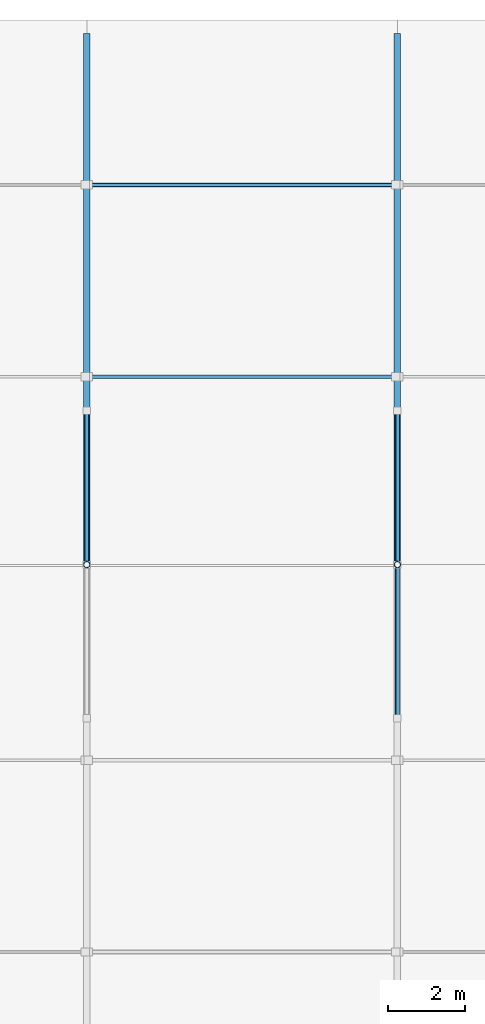
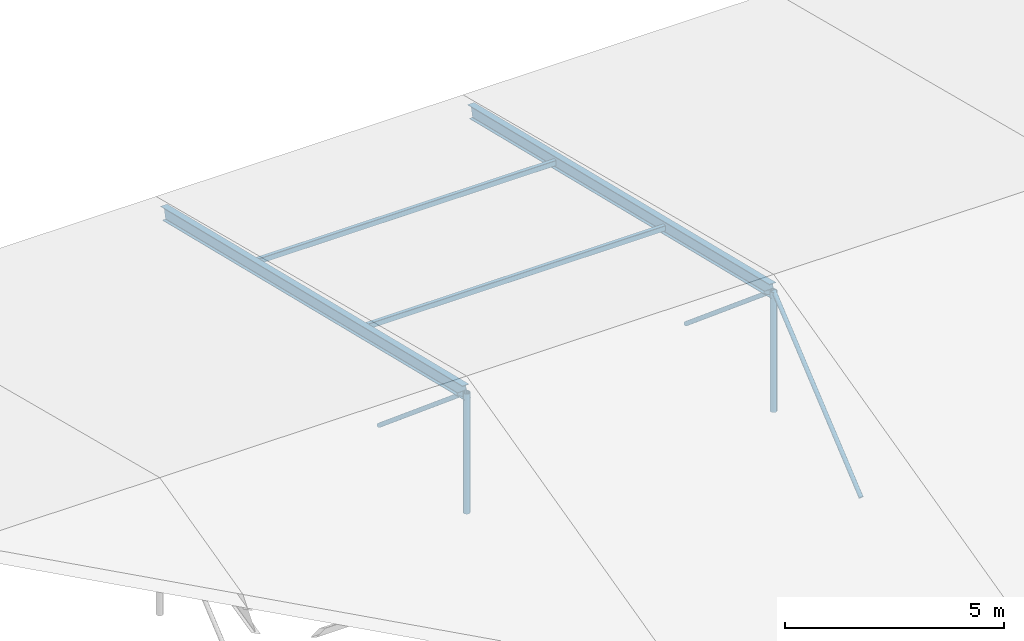
# One storey, part 37 of 65: 9 members.
"""IFC4 building model written with IfcOpenShell, lengths in metres."""

from ifc_helpers import new_model, si_unit, direction, frame, origin, origin_2d, place, context, subcontext, project, spatial, hollow_rectangle, hollow_circle, i_section, extrude, material, material_profile, profile_set, type_object, element, save


model = new_model("IFC4")

# Units and contexts
model_context = context("Model", 3, precision=1e-05, world=origin(), true_north=direction((0.0, 1.0)))
body_context = subcontext(model_context, "Body", "Model", "MODEL_VIEW")
ifc_project = project(units=[si_unit("LENGTHUNIT", "METRE"), si_unit("AREAUNIT", "SQUARE_METRE"), si_unit("VOLUMEUNIT", "CUBIC_METRE"), si_unit("PLANEANGLEUNIT", "RADIAN"), si_unit("MASSUNIT", "GRAM", prefix="KILO")], contexts=[model_context])

# Site, building, storey
site_placement = place(None, origin())
site = spatial("IfcSite", under=ifc_project, at=site_placement, CompositionType="ELEMENT")
building_placement = place(site_placement, origin())
building = spatial("IfcBuilding", under=site, at=building_placement, Name="Quillay Park Conservatory", CompositionType="ELEMENT")
storey_placement = place(building_placement, frame((0.0, 0.0, 14.10009765625)))
storey = spatial("IfcBuildingStorey", under=building, at=storey_placement, Name="L03", CompositionType="ELEMENT", Elevation=14.10009765625)

# Members
ifc_material_1 = material(Name="Steel S355J2H", Category="steel")
ifc_material_profile_1 = material_profile(ifc_material_1, hollow_circle(Radius=0.05712890625, WallThickness=0.00634765625, at=origin_2d()), Name="CHS114.3x6.3")
ifc_profile_set_1 = profile_set([ifc_material_profile_1], Name="Steel S355J2H")
member_type_1 = type_object("IfcMemberType", Name="CANOPY TIE STRUT CHS114", PredefinedType="STRUT", material=ifc_profile_set_1)
for number, where, z_axis, x_axis, name in (
    (1, (131.699951171875, 103.60009765625, -1.5), (0.0, -0.766661786486, 0.642051170189), (1.0, 0.0, 0.0), "Gridshell member AUD-STR-DN3"),
    (2, (139.800048828125, 95.60009765625, -1.5), (0.0, 0.766661786486, 0.642051170189), (-1.0, 0.0, 0.0), "Gridshell member AUD-STR-D4"),
    (3, (139.800048828125, 103.60009765625, -1.5), (0.0, -0.766661786486, 0.642051170189), (1.0, 0.0, 0.0), "Gridshell member AUD-STR-DN4"),
):
    element("IfcMember", number, at=place(storey_placement, frame(where, z_axis=z_axis, x_axis=x_axis)), inside=storey, type_object=member_type_1, Name=name, PredefinedType="STRUT", context=body_context, shape_type="SweptSolid", body=[
        extrude(hollow_circle(Radius=0.05712890625, WallThickness=0.00634765625, at=origin_2d()), origin(), (0.0, 0.0, 1.0), 5.217529296875),
    ])
ifc_material_2 = material(Name="Steel S355J2H", Category="steel")
ifc_material_profile_2 = material_profile(ifc_material_2, hollow_circle(Radius=0.084228515625, WallThickness=0.008056640625, at=origin_2d()), Name="CHS168.3x8")
ifc_profile_set_2 = profile_set([ifc_material_profile_2], Name="Steel S355J2H")
member_type_2 = type_object("IfcMemberType", Name="CANOPY TIE STRUT CHS168", PredefinedType="STRUT", material=ifc_profile_set_2)
for number, where, z_axis, x_axis, name in (
    (4, (131.699951171875, 99.60009765625, -1.5), (0.0, 0.0, 1.0), (1.0, 0.0, 0.0), "Gridshell member AUD-STR-K3"),
    (5, (139.800048828125, 99.60009765625, -1.5), (0.0, 0.0, 1.0), (1.0, 0.0, 0.0), "Gridshell member AUD-STR-K4"),
):
    element("IfcMember", number, at=place(storey_placement, frame(where, z_axis=z_axis, x_axis=x_axis)), inside=storey, type_object=member_type_2, Name=name, PredefinedType="STRUT", context=body_context, shape_type="SweptSolid", body=[
        extrude(hollow_circle(Radius=0.084228515625, WallThickness=0.008056640625, at=origin_2d()), origin(), (0.0, 0.0, 1.0), 3.349853515625),
    ])
ifc_material_3 = material(Name="Steel ASTM A992 Grade 50", Category="steel")
ifc_material_profile_3 = material_profile(ifc_material_3, i_section(OverallWidth=0.172119140625, OverallDepth=0.35791015625, WebThickness=0.0078125, FlangeThickness=0.01318359375, FilletRadius=0.010986328125, at=origin_2d()), Name="W360x57")
ifc_profile_set_3 = profile_set([ifc_material_profile_3], Name="Steel ASTM A992 Grade 50")
member_type_3 = type_object("IfcMemberType", Name="FOLDED ROOF RAFTER W360", PredefinedType="RAFTER", material=ifc_profile_set_3)
for number, where, z_axis, x_axis, name in (
    (6, (131.699951171875, 99.60009765625, 1.849853515625), (0.0, 0.971778368893, -0.235895743394), (-1.0, 0.0, 0.0), "Gridshell member AUD-RAF-N3"),
    (7, (139.800048828125, 99.60009765625, 1.849853515625), (0.0, 0.971778368893, -0.235895743394), (-1.0, 0.0, 0.0), "Gridshell member AUD-RAF-N4"),
):
    element("IfcMember", number, at=place(storey_placement, frame(where, z_axis=z_axis, x_axis=x_axis)), inside=storey, type_object=member_type_3, Name=name, PredefinedType="RAFTER", context=body_context, shape_type="SweptSolid", body=[
        extrude(i_section(OverallWidth=0.172119140625, OverallDepth=0.35791015625, WebThickness=0.0078125, FlangeThickness=0.01318359375, FilletRadius=0.010986328125, at=origin_2d()), origin(), (0.0, 0.0, 1.0), 14.20068359375),
    ])
ifc_material_4 = material(Name="Steel S355J2H", Category="steel")
ifc_material_profile_4 = material_profile(ifc_material_4, hollow_rectangle(XDim=0.10009765625, YDim=0.14990234375, WallThickness=0.00634765625, InnerFilletRadius=0.00634765625, OuterFilletRadius=0.011962890625, at=origin_2d()), Name="RHS150x100x6.3")
ifc_profile_set_4 = profile_set([ifc_material_profile_4], Name="Steel S355J2H")
member_type_4 = type_object("IfcMemberType", Name="ROOF GLAZING PURLIN RHS150", PredefinedType="PURLIN", material=ifc_profile_set_4)
for number, where, z_axis, x_axis, name in (
    (8, (131.75, 104.5, 0.660400390625), (1.0, 0.0, 0.0), (0.0, 1.0, 0.0), "Gridshell member AUD-PUR-3-104"),
    (9, (131.75, 109.5, -0.553466796875), (1.0, 0.0, 0.0), (0.0, 1.0, 0.0), "Gridshell member AUD-PUR-3-109"),
):
    element("IfcMember", number, at=place(storey_placement, frame(where, z_axis=z_axis, x_axis=x_axis)), inside=storey, type_object=member_type_4, Name=name, PredefinedType="PURLIN", context=body_context, shape_type="SweptSolid", body=[
        extrude(hollow_rectangle(XDim=0.10009765625, YDim=0.14990234375, WallThickness=0.00634765625, InnerFilletRadius=0.00634765625, OuterFilletRadius=0.011962890625, at=origin_2d()), origin(), (0.0, 0.0, 1.0), 8.0),
    ])

save(model, "model.ifc")
